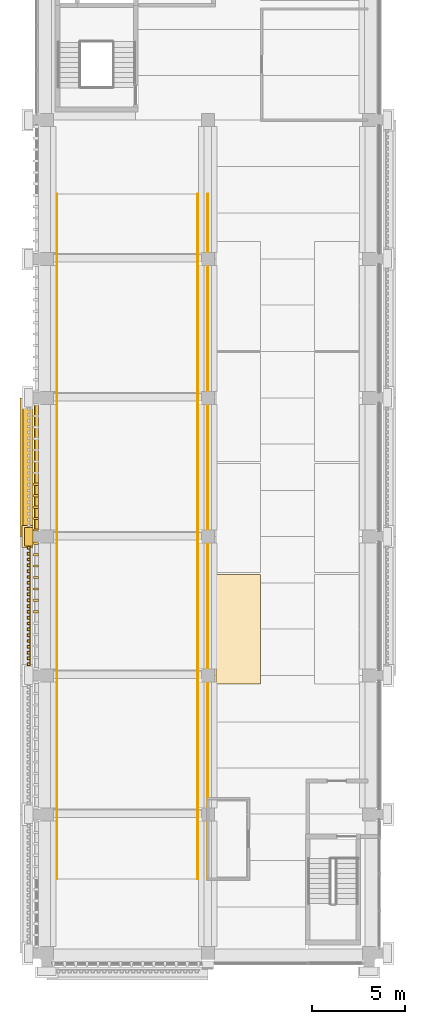
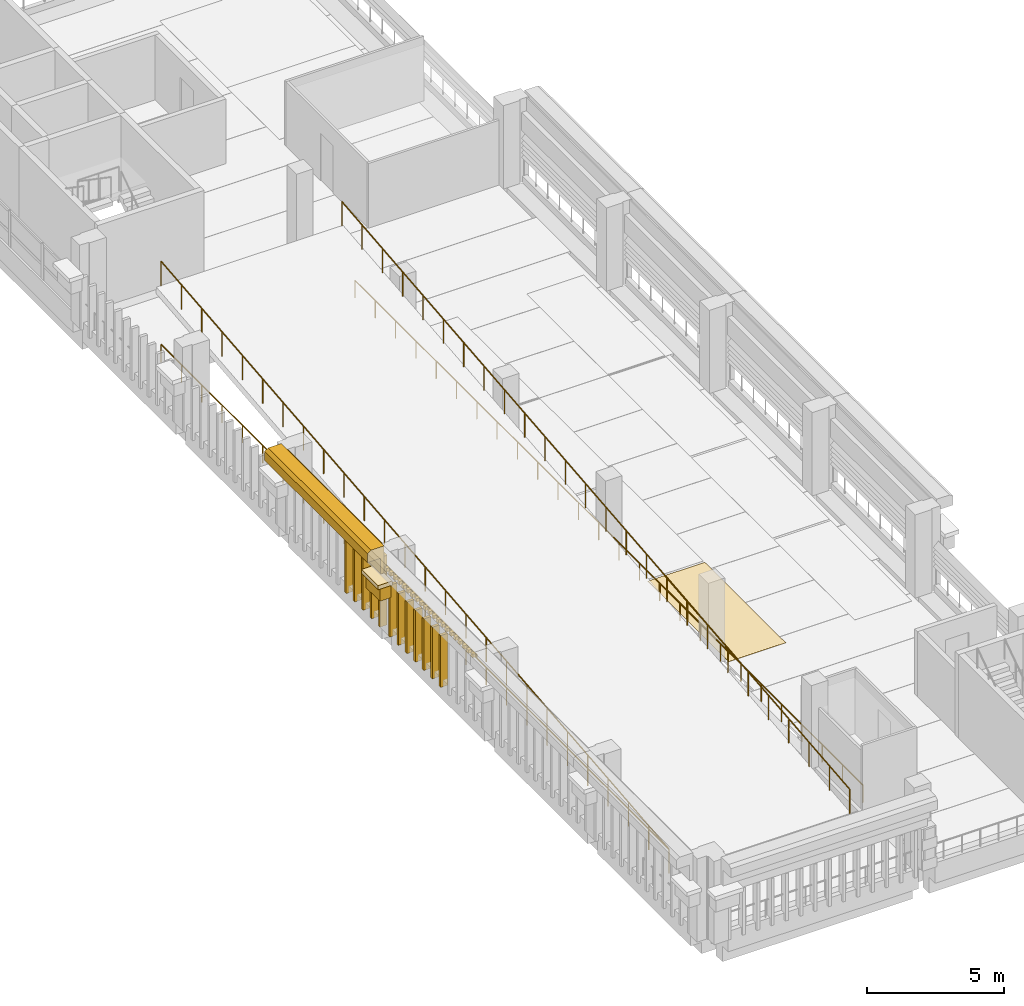
# One storey, part 14 of 25: 18 coverings, 4 railings.
"""IFC4 building model written with IfcOpenShell, lengths in metres."""

from ifc_helpers import new_model, si_unit, direction, frame, origin, origin_2d, place, context, subcontext, project, spatial, polyline, circle, outline, extrude, material, layer, layer_set, type_object, element, save


model = new_model("IFC4")

# Units and contexts
model_context = context("Model", 3, precision=1e-05, world=origin(), true_north=direction((0.0, 1.0)))
body_context = subcontext(model_context, "Body", "Model", "MODEL_VIEW")
ifc_project = project(units=[si_unit("LENGTHUNIT", "METRE"), si_unit("AREAUNIT", "SQUARE_METRE"), si_unit("VOLUMEUNIT", "CUBIC_METRE"), si_unit("PLANEANGLEUNIT", "RADIAN"), si_unit("MASSUNIT", "GRAM", prefix="KILO")], contexts=[model_context])

# Site, building, storey
site_placement = place(None, origin())
site = spatial("IfcSite", under=ifc_project, at=site_placement, CompositionType="ELEMENT")
building_placement = place(site_placement, origin())
building = spatial("IfcBuilding", under=site, at=building_placement, Name="Cour d'Honneur Mobility Palace", CompositionType="ELEMENT")
storey_placement = place(building_placement, frame((0.0, 0.0, 30.39990234375)))
storey = spatial("IfcBuildingStorey", under=building, at=storey_placement, Name="L08", CompositionType="ELEMENT", Elevation=30.39990234375)

# Coverings
ifc_material_1 = material(Name="Cast limestone", Category="masonry")
ifc_layer_1 = layer(ifc_material_1, 0.14990234375)
ifc_layer_set_1 = layer_set([ifc_layer_1], Name="Cast limestone")
covering_type_1 = type_object("IfcCoveringType", Name="Dentil course", PredefinedType="CLADDING", material=ifc_layer_set_1)
covering_1_placement = place(storey_placement, frame((0.0, 0.0, 3.150146484375)))
element("IfcCovering", 1, at=covering_1_placement, inside=storey, type_object=covering_type_1, Name="Dentil course DC-130", PredefinedType="CLADDING", context=body_context, shape_type="SweptSolid", body=[
    extrude(outline(polyline([(-0.89990234375, 22.050048828125), (-0.89990234375, 15.449951171875), (-0.929931640625, 15.449951171875), (-0.929931640625, 15.449951171875), (-0.929931640625, 15.528564453125), (-1.050048828125, 15.528564453125), (-1.050048828125, 15.685791015625), (-0.929931640625, 15.685791015625), (-0.929931640625, 15.764404296875), (-0.929931640625, 15.764404296875), (-0.929931640625, 15.8427734375), (-1.050048828125, 15.8427734375), (-1.050048828125, 16.0), (-0.929931640625, 16.0), (-0.929931640625, 16.07861328125), (-0.929931640625, 16.07861328125), (-0.929931640625, 16.1572265625), (-1.050048828125, 16.1572265625), (-1.050048828125, 16.314208984375), (-0.929931640625, 16.314208984375), (-0.929931640625, 16.392822265625), (-0.929931640625, 16.392822265625), (-0.929931640625, 16.471435546875), (-1.050048828125, 16.471435546875), (-1.050048828125, 16.628662109375), (-0.929931640625, 16.628662109375), (-0.929931640625, 16.70703125), (-0.929931640625, 16.70703125), (-0.929931640625, 16.78564453125), (-1.050048828125, 16.78564453125), (-1.050048828125, 16.94287109375), (-0.929931640625, 16.94287109375), (-0.929931640625, 17.021484375), (-0.929931640625, 17.021484375), (-0.929931640625, 17.10009765625), (-1.050048828125, 17.10009765625), (-1.050048828125, 17.257080078125), (-0.929931640625, 17.257080078125), (-0.929931640625, 17.335693359375), (-0.929931640625, 17.335693359375), (-0.929931640625, 17.414306640625), (-1.050048828125, 17.414306640625), (-1.050048828125, 17.571533203125), (-0.929931640625, 17.571533203125), (-0.929931640625, 17.64990234375), (-0.929931640625, 17.64990234375), (-0.929931640625, 17.728515625), (-1.050048828125, 17.728515625), (-1.050048828125, 17.8857421875), (-0.929931640625, 17.8857421875), (-0.929931640625, 17.96435546875), (-0.929931640625, 17.96435546875), (-0.929931640625, 18.04296875), (-1.050048828125, 18.04296875), (-1.050048828125, 18.199951171875), (-0.929931640625, 18.199951171875), (-0.929931640625, 18.278564453125), (-0.929931640625, 18.278564453125), (-0.929931640625, 18.357177734375), (-1.050048828125, 18.357177734375), (-1.050048828125, 18.514404296875), (-0.929931640625, 18.514404296875), (-0.929931640625, 18.5927734375), (-0.929931640625, 18.5927734375), (-0.929931640625, 18.67138671875), (-1.050048828125, 18.67138671875), (-1.050048828125, 18.82861328125), (-0.929931640625, 18.82861328125), (-0.929931640625, 18.9072265625), (-0.929931640625, 18.9072265625), (-0.929931640625, 18.985595703125), (-1.050048828125, 18.985595703125), (-1.050048828125, 19.142822265625), (-0.929931640625, 19.142822265625), (-0.929931640625, 19.221435546875), (-0.929931640625, 19.221435546875), (-0.929931640625, 19.300048828125), (-1.050048828125, 19.300048828125), (-1.050048828125, 19.45703125), (-0.929931640625, 19.45703125), (-0.929931640625, 19.53564453125), (-0.929931640625, 19.53564453125), (-0.929931640625, 19.6142578125), (-1.050048828125, 19.6142578125), (-1.050048828125, 19.771484375), (-0.929931640625, 19.771484375), (-0.929931640625, 19.85009765625), (-0.929931640625, 19.85009765625), (-0.929931640625, 19.928466796875), (-1.050048828125, 19.928466796875), (-1.050048828125, 20.085693359375), (-0.929931640625, 20.085693359375), (-0.929931640625, 20.164306640625), (-0.929931640625, 20.164306640625), (-0.929931640625, 20.242919921875), (-1.050048828125, 20.242919921875), (-1.050048828125, 20.39990234375), (-0.929931640625, 20.39990234375), (-0.929931640625, 20.478515625), (-0.929931640625, 20.478515625), (-0.929931640625, 20.55712890625), (-1.050048828125, 20.55712890625), (-1.050048828125, 20.71435546875), (-0.929931640625, 20.71435546875), (-0.929931640625, 20.79296875), (-0.929931640625, 20.79296875), (-0.929931640625, 20.871337890625), (-1.050048828125, 20.871337890625), (-1.050048828125, 21.028564453125), (-0.929931640625, 21.028564453125), (-0.929931640625, 21.107177734375), (-0.929931640625, 21.107177734375), (-0.929931640625, 21.185791015625), (-1.050048828125, 21.185791015625), (-1.050048828125, 21.3427734375), (-0.929931640625, 21.3427734375), (-0.929931640625, 21.42138671875), (-0.929931640625, 21.42138671875), (-0.929931640625, 21.5), (-1.050048828125, 21.5), (-1.050048828125, 21.6572265625), (-0.929931640625, 21.6572265625), (-0.929931640625, 21.735595703125), (-0.929931640625, 21.735595703125), (-0.929931640625, 21.814208984375), (-1.050048828125, 21.814208984375), (-1.050048828125, 21.971435546875), (-0.929931640625, 21.971435546875), (-0.929931640625, 22.050048828125), (-0.89990234375, 22.050048828125)])), origin(), (0.0, 0.0, 1.0), 0.14990234375),
])
ifc_material_2 = material(Name="Cast limestone", Category="masonry")
ifc_layer_2 = layer(ifc_material_2, 0.699951171875)
ifc_layer_set_2 = layer_set([ifc_layer_2], Name="Cast limestone")
covering_type_2 = type_object("IfcCoveringType", Name="Entablature", PredefinedType="CLADDING", material=ifc_layer_set_2)
covering_2_placement = place(storey_placement, frame((-0.75, 30.0, 2.60009765625), z_axis=(0.0, 1.0, 0.0), x_axis=(-1.0, 0.0, 0.0)))
element("IfcCovering", 2, at=covering_2_placement, inside=storey, type_object=covering_type_2, Name="Entablature EN-129", PredefinedType="CLADDING", context=body_context, shape_type="SweptSolid", body=[
    extrude(outline(polyline([(0.0, 0.0), (0.14990234375, 0.0), (0.14990234375, 0.699951171875), (0.699951171875, 0.699951171875), (0.699951171875, 1.10009765625), (0.550048828125, 1.199951171875), (0.0, 1.199951171875), (0.0, 0.0)])), origin(), (0.0, 0.0, -1.0), 7.5),
])
ifc_material_3 = material(Name="Parking marking paint")
ifc_layer_3 = layer(ifc_material_3, 0.0048828125)
ifc_layer_set_3 = layer_set([ifc_layer_3], Name="Parking marking paint")
covering_type_3 = type_object("IfcCoveringType", Name="Parking bay marking", PredefinedType="FLOORING", material=ifc_layer_set_3)
covering_3_placement = place(storey_placement, origin())
element("IfcCovering", 3, at=covering_3_placement, inside=storey, type_object=covering_type_3, Name="Parking bay marking L08 9", PredefinedType="FLOORING", context=body_context, shape_type="SweptSolid", body=[
    extrude(outline(polyline([(11.550048828125, 14.550048828125), (9.14990234375, 14.550048828125), (9.14990234375, 20.449951171875), (11.550048828125, 20.449951171875), (11.550048828125, 14.550048828125)])), origin(), (0.0, 0.0, 1.0), 0.005126953125),
])
ifc_material_4 = material(Name="Cast limestone", Category="masonry")
ifc_layer_4 = layer(ifc_material_4, 0.1201171875)
ifc_layer_set_4 = layer_set([ifc_layer_4], Name="Cast limestone")
covering_type_4 = type_object("IfcCoveringType", Name="Pilaster capital", PredefinedType="CLADDING", material=ifc_layer_set_4)
covering_4_placement = place(storey_placement, frame((0.0, 0.0, 1.800048828125)))
element("IfcCovering", 4, at=covering_4_placement, inside=storey, type_object=covering_type_4, Name="Pilaster capital PK-201", PredefinedType="CLADDING", context=body_context, shape_type="SweptSolid", body=[
    extrude(outline(polyline([(-0.75, 23.0), (-0.75, 22.0), (-1.219970703125, 22.0), (-1.219970703125, 23.0), (-0.75, 23.0)])), origin(), (0.0, 0.0, 1.0), 0.6201171875),
])
covering_5_placement = place(storey_placement, frame((0.0, 0.0, 2.420166015625)))
element("IfcCovering", 5, at=covering_5_placement, inside=storey, type_object=covering_type_4, Name="Pilaster capital PK-202", PredefinedType="CLADDING", context=body_context, shape_type="SweptSolid", body=[
    extrude(outline(polyline([(-0.75, 23.10009765625), (-0.75, 21.89990234375), (-1.35009765625, 21.89990234375), (-1.35009765625, 23.10009765625), (-0.75, 23.10009765625)])), origin(), (0.0, 0.0, 1.0), 0.179931640625),
])

# Railings
ifc_material_5 = material(Name="Painted steel", Category="steel")
railing_type_1 = type_object("IfcRailingType", Name="Ramp guard 1100", PredefinedType="GUARDRAIL", material=ifc_material_5)
railing_1_placement = place(storey_placement, frame((0.550048828125, 4.0, 0.0)))
element("IfcRailing", 6, at=railing_1_placement, inside=storey, type_object=railing_type_1, Name="Ramp guard Ramp West 9", PredefinedType="GUARDRAIL", context=body_context, shape_type="SweptSolid", body=[
    extrude(circle(Radius=0.02490234375, at=origin_2d()), frame((0.0, 0.0, 1.0751953125), z_axis=(0.0, 0.995036670145, 0.099508919531), x_axis=(-1.0, 0.0, 0.0)), (0.0, 0.0, 1.0), 37.1845703125),
    extrude(circle(Radius=0.02099609375, at=origin_2d()), origin(), (0.0, 0.0, 1.0), 1.050048828125),
    extrude(circle(Radius=0.02099609375, at=origin_2d()), frame((0.0, 1.47998046875, 0.14794921875)), (0.0, 0.0, 1.0), 1.050048828125),
    extrude(circle(Radius=0.02099609375, at=origin_2d()), frame((0.0, 2.9599609375, 0.2958984375)), (0.0, 0.0, 1.0), 1.050048828125),
    extrude(circle(Radius=0.02099609375, at=origin_2d()), frame((0.0, 4.43994140625, 0.444091796875)), (0.0, 0.0, 1.0), 1.050048828125),
    extrude(circle(Radius=0.02099609375, at=origin_2d()), frame((0.0, 5.919921875, 0.592041015625)), (0.0, 0.0, 1.0), 1.050048828125),
    extrude(circle(Radius=0.02099609375, at=origin_2d()), frame((0.0, 7.39990234375, 0.739990234375)), (0.0, 0.0, 1.0), 1.050048828125),
    extrude(circle(Radius=0.02099609375, at=origin_2d()), frame((0.0, 8.8798828125, 0.887939453125)), (0.0, 0.0, 1.0), 1.050048828125),
    extrude(circle(Radius=0.02099609375, at=origin_2d()), frame((0.0, 10.360107421875, 1.0361328125)), (0.0, 0.0, 1.0), 1.050048828125),
    extrude(circle(Radius=0.02099609375, at=origin_2d()), frame((0.0, 11.840087890625, 1.18408203125)), (0.0, 0.0, 1.0), 1.050048828125),
    extrude(circle(Radius=0.02099609375, at=origin_2d()), frame((0.0, 13.320068359375, 1.33203125)), (0.0, 0.0, 1.0), 1.050048828125),
    extrude(circle(Radius=0.02099609375, at=origin_2d()), frame((0.0, 14.800048828125, 1.47998046875)), (0.0, 0.0, 1.0), 1.050048828125),
    extrude(circle(Radius=0.02099609375, at=origin_2d()), frame((0.0, 16.280029296875, 1.628173828125)), (0.0, 0.0, 1.0), 1.050048828125),
    extrude(circle(Radius=0.02099609375, at=origin_2d()), frame((0.0, 17.760009765625, 1.776123046875)), (0.0, 0.0, 1.0), 1.050048828125),
    extrude(circle(Radius=0.02099609375, at=origin_2d()), frame((0.0, 19.239990234375, 1.924072265625)), (0.0, 0.0, 1.0), 1.050048828125),
    extrude(circle(Radius=0.02099609375, at=origin_2d()), frame((0.0, 20.719970703125, 2.072021484375)), (0.0, 0.0, 1.0), 1.050048828125),
    extrude(circle(Radius=0.02099609375, at=origin_2d()), frame((0.0, 22.199951171875, 2.22021484375)), (0.0, 0.0, 1.0), 1.050048828125),
    extrude(circle(Radius=0.02099609375, at=origin_2d()), frame((0.0, 23.679931640625, 2.3681640625)), (0.0, 0.0, 1.0), 1.050048828125),
    extrude(circle(Radius=0.02099609375, at=origin_2d()), frame((0.0, 25.159912109375, 2.51611328125)), (0.0, 0.0, 1.0), 1.050048828125),
    extrude(circle(Radius=0.02099609375, at=origin_2d()), frame((0.0, 26.639892578125, 2.6640625)), (0.0, 0.0, 1.0), 1.050048828125),
    extrude(circle(Radius=0.02099609375, at=origin_2d()), frame((0.0, 28.1201171875, 2.812255859375)), (0.0, 0.0, 1.0), 1.050048828125),
    extrude(circle(Radius=0.02099609375, at=origin_2d()), frame((0.0, 29.60009765625, 2.960205078125)), (0.0, 0.0, 1.0), 1.050048828125),
    extrude(circle(Radius=0.02099609375, at=origin_2d()), frame((0.0, 31.080078125, 3.108154296875)), (0.0, 0.0, 1.0), 1.050048828125),
    extrude(circle(Radius=0.02099609375, at=origin_2d()), frame((0.0, 32.56005859375, 3.256103515625)), (0.0, 0.0, 1.0), 1.050048828125),
    extrude(circle(Radius=0.02099609375, at=origin_2d()), frame((0.0, 34.0400390625, 3.404296875)), (0.0, 0.0, 1.0), 1.050048828125),
    extrude(circle(Radius=0.02099609375, at=origin_2d()), frame((0.0, 35.52001953125, 3.55224609375)), (0.0, 0.0, 1.0), 1.050048828125),
    extrude(circle(Radius=0.02099609375, at=origin_2d()), frame((0.0, 37.0, 3.7001953125)), (0.0, 0.0, 1.0), 1.050048828125),
])
railing_2_placement = place(storey_placement, frame((8.14990234375, 4.0, 0.0)))
element("IfcRailing", 7, at=railing_2_placement, inside=storey, type_object=railing_type_1, Name="Ramp guard Ramp West 9", PredefinedType="GUARDRAIL", context=body_context, shape_type="SweptSolid", body=[
    extrude(circle(Radius=0.02490234375, at=origin_2d()), frame((0.0, 0.0, 1.0751953125), z_axis=(0.0, 0.995036670145, 0.099508919531), x_axis=(-1.0, 0.0, 0.0)), (0.0, 0.0, 1.0), 37.1845703125),
    extrude(circle(Radius=0.02099609375, at=origin_2d()), origin(), (0.0, 0.0, 1.0), 1.050048828125),
    extrude(circle(Radius=0.02099609375, at=origin_2d()), frame((0.0, 1.47998046875, 0.14794921875)), (0.0, 0.0, 1.0), 1.050048828125),
    extrude(circle(Radius=0.02099609375, at=origin_2d()), frame((0.0, 2.9599609375, 0.2958984375)), (0.0, 0.0, 1.0), 1.050048828125),
    extrude(circle(Radius=0.02099609375, at=origin_2d()), frame((0.0, 4.43994140625, 0.444091796875)), (0.0, 0.0, 1.0), 1.050048828125),
    extrude(circle(Radius=0.02099609375, at=origin_2d()), frame((0.0, 5.919921875, 0.592041015625)), (0.0, 0.0, 1.0), 1.050048828125),
    extrude(circle(Radius=0.02099609375, at=origin_2d()), frame((0.0, 7.39990234375, 0.739990234375)), (0.0, 0.0, 1.0), 1.050048828125),
    extrude(circle(Radius=0.02099609375, at=origin_2d()), frame((0.0, 8.8798828125, 0.887939453125)), (0.0, 0.0, 1.0), 1.050048828125),
    extrude(circle(Radius=0.02099609375, at=origin_2d()), frame((0.0, 10.360107421875, 1.0361328125)), (0.0, 0.0, 1.0), 1.050048828125),
    extrude(circle(Radius=0.02099609375, at=origin_2d()), frame((0.0, 11.840087890625, 1.18408203125)), (0.0, 0.0, 1.0), 1.050048828125),
    extrude(circle(Radius=0.02099609375, at=origin_2d()), frame((0.0, 13.320068359375, 1.33203125)), (0.0, 0.0, 1.0), 1.050048828125),
    extrude(circle(Radius=0.02099609375, at=origin_2d()), frame((0.0, 14.800048828125, 1.47998046875)), (0.0, 0.0, 1.0), 1.050048828125),
    extrude(circle(Radius=0.02099609375, at=origin_2d()), frame((0.0, 16.280029296875, 1.628173828125)), (0.0, 0.0, 1.0), 1.050048828125),
    extrude(circle(Radius=0.02099609375, at=origin_2d()), frame((0.0, 17.760009765625, 1.776123046875)), (0.0, 0.0, 1.0), 1.050048828125),
    extrude(circle(Radius=0.02099609375, at=origin_2d()), frame((0.0, 19.239990234375, 1.924072265625)), (0.0, 0.0, 1.0), 1.050048828125),
    extrude(circle(Radius=0.02099609375, at=origin_2d()), frame((0.0, 20.719970703125, 2.072021484375)), (0.0, 0.0, 1.0), 1.050048828125),
    extrude(circle(Radius=0.02099609375, at=origin_2d()), frame((0.0, 22.199951171875, 2.22021484375)), (0.0, 0.0, 1.0), 1.050048828125),
    extrude(circle(Radius=0.02099609375, at=origin_2d()), frame((0.0, 23.679931640625, 2.3681640625)), (0.0, 0.0, 1.0), 1.050048828125),
    extrude(circle(Radius=0.02099609375, at=origin_2d()), frame((0.0, 25.159912109375, 2.51611328125)), (0.0, 0.0, 1.0), 1.050048828125),
    extrude(circle(Radius=0.02099609375, at=origin_2d()), frame((0.0, 26.639892578125, 2.6640625)), (0.0, 0.0, 1.0), 1.050048828125),
    extrude(circle(Radius=0.02099609375, at=origin_2d()), frame((0.0, 28.1201171875, 2.812255859375)), (0.0, 0.0, 1.0), 1.050048828125),
    extrude(circle(Radius=0.02099609375, at=origin_2d()), frame((0.0, 29.60009765625, 2.960205078125)), (0.0, 0.0, 1.0), 1.050048828125),
    extrude(circle(Radius=0.02099609375, at=origin_2d()), frame((0.0, 31.080078125, 3.108154296875)), (0.0, 0.0, 1.0), 1.050048828125),
    extrude(circle(Radius=0.02099609375, at=origin_2d()), frame((0.0, 32.56005859375, 3.256103515625)), (0.0, 0.0, 1.0), 1.050048828125),
    extrude(circle(Radius=0.02099609375, at=origin_2d()), frame((0.0, 34.0400390625, 3.404296875)), (0.0, 0.0, 1.0), 1.050048828125),
    extrude(circle(Radius=0.02099609375, at=origin_2d()), frame((0.0, 35.52001953125, 3.55224609375)), (0.0, 0.0, 1.0), 1.050048828125),
    extrude(circle(Radius=0.02099609375, at=origin_2d()), frame((0.0, 37.0, 3.7001953125)), (0.0, 0.0, 1.0), 1.050048828125),
])

# Coverings
ifc_material_6 = material(Name="Cast limestone", Category="masonry")
ifc_layer_5 = layer(ifc_material_6, 0.1201171875)
ifc_layer_set_5 = layer_set([ifc_layer_5], Name="Cast limestone")
covering_type_5 = type_object("IfcCoveringType", Name="Ramp screen fin", PredefinedType="CLADDING", material=ifc_layer_set_5)
covering_6_placement = place(storey_placement, origin())
element("IfcCovering", 8, at=covering_6_placement, inside=storey, type_object=covering_type_5, Name="Ramp screen fin W3.3 L08 8", PredefinedType="CLADDING", context=body_context, shape_type="SweptSolid", body=[
    extrude(outline(polyline([(-0.449951171875, 25.385498046875), (-0.449951171875, 25.265380859375), (-0.75, 25.265380859375), (-0.75, 25.385498046875), (-0.449951171875, 25.385498046875)])), origin(), (0.0, 0.0, 1.0), 2.300048828125),
])
covering_7_placement = place(storey_placement, origin())
element("IfcCovering", 9, at=covering_7_placement, inside=storey, type_object=covering_type_5, Name="Ramp screen fin W3.3 L08 9", PredefinedType="CLADDING", context=body_context, shape_type="SweptSolid", body=[
    extrude(outline(polyline([(-0.449951171875, 24.76904296875), (-0.449951171875, 24.649169921875), (-0.75, 24.649169921875), (-0.75, 24.76904296875), (-0.449951171875, 24.76904296875)])), origin(), (0.0, 0.0, 1.0), 2.300048828125),
])
covering_8_placement = place(storey_placement, origin())
element("IfcCovering", 10, at=covering_8_placement, inside=storey, type_object=covering_type_5, Name="Ramp screen fin W3.3 L08 10", PredefinedType="CLADDING", context=body_context, shape_type="SweptSolid", body=[
    extrude(outline(polyline([(-0.449951171875, 24.15283203125), (-0.449951171875, 24.03271484375), (-0.75, 24.03271484375), (-0.75, 24.15283203125), (-0.449951171875, 24.15283203125)])), origin(), (0.0, 0.0, 1.0), 2.300048828125),
])
covering_9_placement = place(storey_placement, origin())
element("IfcCovering", 11, at=covering_9_placement, inside=storey, type_object=covering_type_5, Name="Ramp screen fin W3.3 L08 11", PredefinedType="CLADDING", context=body_context, shape_type="SweptSolid", body=[
    extrude(outline(polyline([(-0.449951171875, 23.536376953125), (-0.449951171875, 23.416259765625), (-0.75, 23.416259765625), (-0.75, 23.536376953125), (-0.449951171875, 23.536376953125)])), origin(), (0.0, 0.0, 1.0), 2.300048828125),
])
covering_10_placement = place(storey_placement, origin())
element("IfcCovering", 12, at=covering_10_placement, inside=storey, type_object=covering_type_5, Name="Ramp screen fin W3.3 L08 12", PredefinedType="CLADDING", context=body_context, shape_type="SweptSolid", body=[
    extrude(outline(polyline([(-0.449951171875, 22.919921875), (-0.449951171875, 22.800048828125), (-0.75, 22.800048828125), (-0.75, 22.919921875), (-0.449951171875, 22.919921875)])), origin(), (0.0, 0.0, 1.0), 2.300048828125),
])
covering_11_placement = place(storey_placement, origin())
element("IfcCovering", 13, at=covering_11_placement, inside=storey, type_object=covering_type_5, Name="Ramp screen fin W3.4 L08 1", PredefinedType="CLADDING", context=body_context, shape_type="SweptSolid", body=[
    extrude(outline(polyline([(-0.449951171875, 22.199951171875), (-0.449951171875, 22.080078125), (-0.75, 22.080078125), (-0.75, 22.199951171875), (-0.449951171875, 22.199951171875)])), origin(), (0.0, 0.0, 1.0), 2.300048828125),
])
covering_12_placement = place(storey_placement, origin())
element("IfcCovering", 14, at=covering_12_placement, inside=storey, type_object=covering_type_5, Name="Ramp screen fin W3.4 L08 2", PredefinedType="CLADDING", context=body_context, shape_type="SweptSolid", body=[
    extrude(outline(polyline([(-0.449951171875, 21.583740234375), (-0.449951171875, 21.463623046875), (-0.75, 21.463623046875), (-0.75, 21.583740234375), (-0.449951171875, 21.583740234375)])), origin(), (0.0, 0.0, 1.0), 2.300048828125),
])
covering_13_placement = place(storey_placement, origin())
element("IfcCovering", 15, at=covering_13_placement, inside=storey, type_object=covering_type_5, Name="Ramp screen fin W3.4 L08 3", PredefinedType="CLADDING", context=body_context, shape_type="SweptSolid", body=[
    extrude(outline(polyline([(-0.449951171875, 20.96728515625), (-0.449951171875, 20.84716796875), (-0.75, 20.84716796875), (-0.75, 20.96728515625), (-0.449951171875, 20.96728515625)])), origin(), (0.0, 0.0, 1.0), 2.300048828125),
])
covering_14_placement = place(storey_placement, origin())
element("IfcCovering", 16, at=covering_14_placement, inside=storey, type_object=covering_type_5, Name="Ramp screen fin W3.4 L08 4", PredefinedType="CLADDING", context=body_context, shape_type="SweptSolid", body=[
    extrude(outline(polyline([(-0.449951171875, 20.350830078125), (-0.449951171875, 20.23095703125), (-0.75, 20.23095703125), (-0.75, 20.350830078125), (-0.449951171875, 20.350830078125)])), origin(), (0.0, 0.0, 1.0), 2.300048828125),
])
covering_15_placement = place(storey_placement, origin())
element("IfcCovering", 17, at=covering_15_placement, inside=storey, type_object=covering_type_5, Name="Ramp screen fin W3.4 L08 5", PredefinedType="CLADDING", context=body_context, shape_type="SweptSolid", body=[
    extrude(outline(polyline([(-0.449951171875, 19.734619140625), (-0.449951171875, 19.614501953125), (-0.75, 19.614501953125), (-0.75, 19.734619140625), (-0.449951171875, 19.734619140625)])), origin(), (0.0, 0.0, 1.0), 2.300048828125),
])
covering_16_placement = place(storey_placement, origin())
element("IfcCovering", 18, at=covering_16_placement, inside=storey, type_object=covering_type_5, Name="Ramp screen fin W3.4 L08 6", PredefinedType="CLADDING", context=body_context, shape_type="SweptSolid", body=[
    extrude(outline(polyline([(-0.449951171875, 19.1181640625), (-0.449951171875, 18.998291015625), (-0.75, 18.998291015625), (-0.75, 19.1181640625), (-0.449951171875, 19.1181640625)])), origin(), (0.0, 0.0, 1.0), 2.300048828125),
])
covering_17_placement = place(storey_placement, origin())
element("IfcCovering", 19, at=covering_17_placement, inside=storey, type_object=covering_type_5, Name="Ramp screen fin W3.4 L08 7", PredefinedType="CLADDING", context=body_context, shape_type="SweptSolid", body=[
    extrude(outline(polyline([(-0.449951171875, 18.501708984375), (-0.449951171875, 18.3818359375), (-0.75, 18.3818359375), (-0.75, 18.501708984375), (-0.449951171875, 18.501708984375)])), origin(), (0.0, 0.0, 1.0), 2.300048828125),
])
ifc_material_7 = material(Name="Cast limestone", Category="masonry")
ifc_layer_6 = layer(ifc_material_7, 0.25)
ifc_layer_set_6 = layer_set([ifc_layer_6], Name="Cast limestone")
covering_type_6 = type_object("IfcCoveringType", Name="Spandrel cladding", PredefinedType="CLADDING", material=ifc_layer_set_6)
covering_18_placement = place(storey_placement, frame((-0.449951171875, 29.699951171875, 2.300048828125), z_axis=(0.0, 1.0, 0.0), x_axis=(-1.0, 0.0, 0.0)))
element("IfcCovering", 20, at=covering_18_placement, inside=storey, type_object=covering_type_6, Name="Spandrel cladding SK-396", PredefinedType="CLADDING", context=body_context, shape_type="SweptSolid", body=[
    extrude(outline(polyline([(0.0, 0.0), (0.25, 0.0), (0.25, 1.400146484375), (0.199951171875, 1.400146484375), (0.199951171875, 0.800048828125), (0.0, 0.800048828125), (0.0, 0.0)])), origin(), (0.0, 0.0, -1.0), 6.89990234375),
])

# Railings
ifc_material_8 = material(Name="Painted steel", Category="steel")
railing_type_2 = type_object("IfcRailingType", Name="Void edge guard 1100", PredefinedType="GUARDRAIL", material=ifc_material_8)
railing_3_placement = place(storey_placement, frame((8.699951171875, 4.0, 0.300048828125)))
element("IfcRailing", 21, at=railing_3_placement, inside=storey, type_object=railing_type_2, Name="Void edge guard SW L08", PredefinedType="GUARDRAIL", context=body_context, shape_type="SweptSolid", body=[
    extrude(circle(Radius=0.02490234375, at=origin_2d()), frame((0.0, 0.0, 0.77490234375), z_axis=(0.0, 1.0, 0.0), x_axis=(-1.0, 0.0, 0.0)), (0.0, 0.0, 1.0), 37.0),
    extrude(circle(Radius=0.02099609375, at=origin_2d()), origin(), (0.0, 0.0, 1.0), 0.75),
    extrude(circle(Radius=0.02099609375, at=origin_2d()), frame((0.0, 1.47998046875, 0.0)), (0.0, 0.0, 1.0), 0.75),
    extrude(circle(Radius=0.02099609375, at=origin_2d()), frame((0.0, 2.9599609375, 0.0)), (0.0, 0.0, 1.0), 0.75),
    extrude(circle(Radius=0.02099609375, at=origin_2d()), frame((0.0, 4.43994140625, 0.0)), (0.0, 0.0, 1.0), 0.75),
    extrude(circle(Radius=0.02099609375, at=origin_2d()), frame((0.0, 5.919921875, 0.0)), (0.0, 0.0, 1.0), 0.75),
    extrude(circle(Radius=0.02099609375, at=origin_2d()), frame((0.0, 7.39990234375, 0.0)), (0.0, 0.0, 1.0), 0.75),
    extrude(circle(Radius=0.02099609375, at=origin_2d()), frame((0.0, 8.8798828125, 0.0)), (0.0, 0.0, 1.0), 0.75),
    extrude(circle(Radius=0.02099609375, at=origin_2d()), frame((0.0, 10.360107421875, 0.0)), (0.0, 0.0, 1.0), 0.75),
    extrude(circle(Radius=0.02099609375, at=origin_2d()), frame((0.0, 11.840087890625, 0.0)), (0.0, 0.0, 1.0), 0.75),
    extrude(circle(Radius=0.02099609375, at=origin_2d()), frame((0.0, 13.320068359375, 0.0)), (0.0, 0.0, 1.0), 0.75),
    extrude(circle(Radius=0.02099609375, at=origin_2d()), frame((0.0, 14.800048828125, 0.0)), (0.0, 0.0, 1.0), 0.75),
    extrude(circle(Radius=0.02099609375, at=origin_2d()), frame((0.0, 16.280029296875, 0.0)), (0.0, 0.0, 1.0), 0.75),
    extrude(circle(Radius=0.02099609375, at=origin_2d()), frame((0.0, 17.760009765625, 0.0)), (0.0, 0.0, 1.0), 0.75),
    extrude(circle(Radius=0.02099609375, at=origin_2d()), frame((0.0, 19.239990234375, 0.0)), (0.0, 0.0, 1.0), 0.75),
    extrude(circle(Radius=0.02099609375, at=origin_2d()), frame((0.0, 20.719970703125, 0.0)), (0.0, 0.0, 1.0), 0.75),
    extrude(circle(Radius=0.02099609375, at=origin_2d()), frame((0.0, 22.199951171875, 0.0)), (0.0, 0.0, 1.0), 0.75),
    extrude(circle(Radius=0.02099609375, at=origin_2d()), frame((0.0, 23.679931640625, 0.0)), (0.0, 0.0, 1.0), 0.75),
    extrude(circle(Radius=0.02099609375, at=origin_2d()), frame((0.0, 25.159912109375, 0.0)), (0.0, 0.0, 1.0), 0.75),
    extrude(circle(Radius=0.02099609375, at=origin_2d()), frame((0.0, 26.639892578125, 0.0)), (0.0, 0.0, 1.0), 0.75),
    extrude(circle(Radius=0.02099609375, at=origin_2d()), frame((0.0, 28.1201171875, 0.0)), (0.0, 0.0, 1.0), 0.75),
    extrude(circle(Radius=0.02099609375, at=origin_2d()), frame((0.0, 29.60009765625, 0.0)), (0.0, 0.0, 1.0), 0.75),
    extrude(circle(Radius=0.02099609375, at=origin_2d()), frame((0.0, 31.080078125, 0.0)), (0.0, 0.0, 1.0), 0.75),
    extrude(circle(Radius=0.02099609375, at=origin_2d()), frame((0.0, 32.56005859375, 0.0)), (0.0, 0.0, 1.0), 0.75),
    extrude(circle(Radius=0.02099609375, at=origin_2d()), frame((0.0, 34.0400390625, 0.0)), (0.0, 0.0, 1.0), 0.75),
    extrude(circle(Radius=0.02099609375, at=origin_2d()), frame((0.0, 35.52001953125, 0.0)), (0.0, 0.0, 1.0), 0.75),
    extrude(circle(Radius=0.02099609375, at=origin_2d()), frame((0.0, 37.0, 0.0)), (0.0, 0.0, 1.0), 0.75),
])
railing_4_placement = place(storey_placement, frame((0.550048828125, 4.0, 0.300048828125)))
element("IfcRailing", 22, at=railing_4_placement, inside=storey, type_object=railing_type_2, Name="Void edge guard SW L08", PredefinedType="GUARDRAIL", context=body_context, shape_type="SweptSolid", body=[
    extrude(circle(Radius=0.02490234375, at=origin_2d()), frame((0.0, 0.0, 0.77490234375), z_axis=(0.0, 1.0, 0.0), x_axis=(-1.0, 0.0, 0.0)), (0.0, 0.0, 1.0), 37.0),
    extrude(circle(Radius=0.02099609375, at=origin_2d()), origin(), (0.0, 0.0, 1.0), 0.75),
    extrude(circle(Radius=0.02099609375, at=origin_2d()), frame((0.0, 1.47998046875, 0.0)), (0.0, 0.0, 1.0), 0.75),
    extrude(circle(Radius=0.02099609375, at=origin_2d()), frame((0.0, 2.9599609375, 0.0)), (0.0, 0.0, 1.0), 0.75),
    extrude(circle(Radius=0.02099609375, at=origin_2d()), frame((0.0, 4.43994140625, 0.0)), (0.0, 0.0, 1.0), 0.75),
    extrude(circle(Radius=0.02099609375, at=origin_2d()), frame((0.0, 5.919921875, 0.0)), (0.0, 0.0, 1.0), 0.75),
    extrude(circle(Radius=0.02099609375, at=origin_2d()), frame((0.0, 7.39990234375, 0.0)), (0.0, 0.0, 1.0), 0.75),
    extrude(circle(Radius=0.02099609375, at=origin_2d()), frame((0.0, 8.8798828125, 0.0)), (0.0, 0.0, 1.0), 0.75),
    extrude(circle(Radius=0.02099609375, at=origin_2d()), frame((0.0, 10.360107421875, 0.0)), (0.0, 0.0, 1.0), 0.75),
    extrude(circle(Radius=0.02099609375, at=origin_2d()), frame((0.0, 11.840087890625, 0.0)), (0.0, 0.0, 1.0), 0.75),
    extrude(circle(Radius=0.02099609375, at=origin_2d()), frame((0.0, 13.320068359375, 0.0)), (0.0, 0.0, 1.0), 0.75),
    extrude(circle(Radius=0.02099609375, at=origin_2d()), frame((0.0, 14.800048828125, 0.0)), (0.0, 0.0, 1.0), 0.75),
    extrude(circle(Radius=0.02099609375, at=origin_2d()), frame((0.0, 16.280029296875, 0.0)), (0.0, 0.0, 1.0), 0.75),
    extrude(circle(Radius=0.02099609375, at=origin_2d()), frame((0.0, 17.760009765625, 0.0)), (0.0, 0.0, 1.0), 0.75),
    extrude(circle(Radius=0.02099609375, at=origin_2d()), frame((0.0, 19.239990234375, 0.0)), (0.0, 0.0, 1.0), 0.75),
    extrude(circle(Radius=0.02099609375, at=origin_2d()), frame((0.0, 20.719970703125, 0.0)), (0.0, 0.0, 1.0), 0.75),
    extrude(circle(Radius=0.02099609375, at=origin_2d()), frame((0.0, 22.199951171875, 0.0)), (0.0, 0.0, 1.0), 0.75),
    extrude(circle(Radius=0.02099609375, at=origin_2d()), frame((0.0, 23.679931640625, 0.0)), (0.0, 0.0, 1.0), 0.75),
    extrude(circle(Radius=0.02099609375, at=origin_2d()), frame((0.0, 25.159912109375, 0.0)), (0.0, 0.0, 1.0), 0.75),
    extrude(circle(Radius=0.02099609375, at=origin_2d()), frame((0.0, 26.639892578125, 0.0)), (0.0, 0.0, 1.0), 0.75),
    extrude(circle(Radius=0.02099609375, at=origin_2d()), frame((0.0, 28.1201171875, 0.0)), (0.0, 0.0, 1.0), 0.75),
    extrude(circle(Radius=0.02099609375, at=origin_2d()), frame((0.0, 29.60009765625, 0.0)), (0.0, 0.0, 1.0), 0.75),
    extrude(circle(Radius=0.02099609375, at=origin_2d()), frame((0.0, 31.080078125, 0.0)), (0.0, 0.0, 1.0), 0.75),
    extrude(circle(Radius=0.02099609375, at=origin_2d()), frame((0.0, 32.56005859375, 0.0)), (0.0, 0.0, 1.0), 0.75),
    extrude(circle(Radius=0.02099609375, at=origin_2d()), frame((0.0, 34.0400390625, 0.0)), (0.0, 0.0, 1.0), 0.75),
    extrude(circle(Radius=0.02099609375, at=origin_2d()), frame((0.0, 35.52001953125, 0.0)), (0.0, 0.0, 1.0), 0.75),
    extrude(circle(Radius=0.02099609375, at=origin_2d()), frame((0.0, 37.0, 0.0)), (0.0, 0.0, 1.0), 0.75),
])

save(model, "model.ifc")
